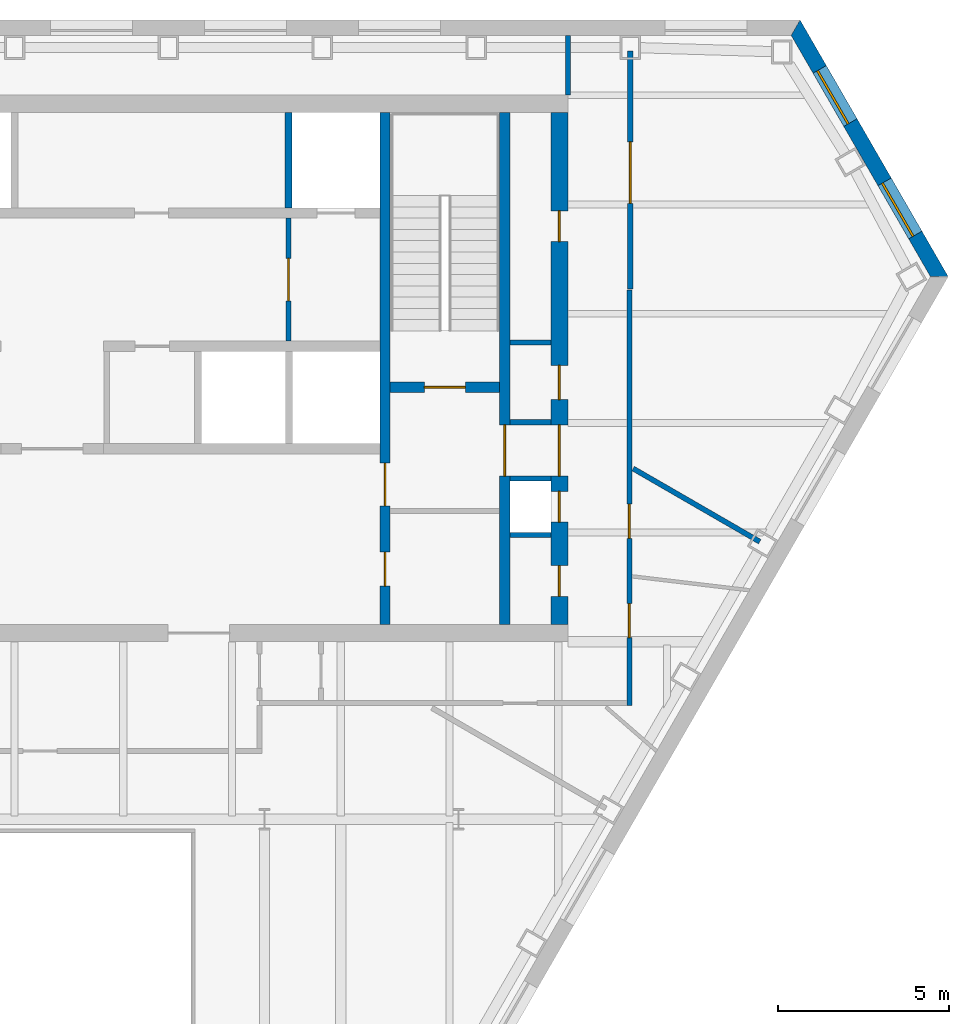
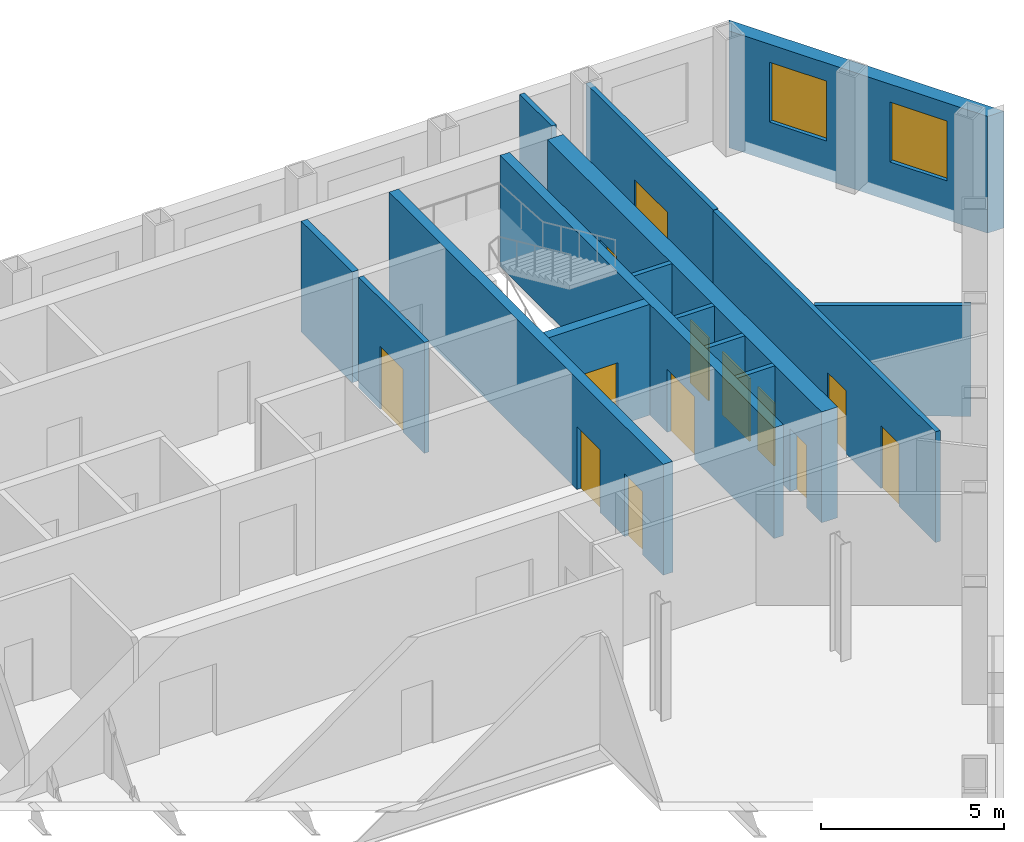
# One storey, part 7 of 10: 15 walls, 13 doors, 2 windows, 15 openings.
"""IFC4 building model written with IfcOpenShell, lengths in metres."""

from ifc_helpers import new_model, si_unit, direction, frame, frame_2d, origin, place, context, subcontext, project, spatial, polyline, rectangle, outline, extrude, material, layer, layer_set, type_object, element, fill, save


model = new_model("IFC4")

# Units and contexts
model_context = context("Model", 3, precision=1e-05, world=origin(), true_north=direction((0.0, 1.0)))
body_context = subcontext(model_context, "Body", "Model", "MODEL_VIEW")
ifc_project = project(units=[si_unit("LENGTHUNIT", "METRE"), si_unit("AREAUNIT", "SQUARE_METRE"), si_unit("VOLUMEUNIT", "CUBIC_METRE"), si_unit("PLANEANGLEUNIT", "RADIAN"), si_unit("MASSUNIT", "GRAM", prefix="KILO")], contexts=[model_context])

# Site, building, storey
site_placement = place(None, origin())
site = spatial("IfcSite", under=ifc_project, at=site_placement, CompositionType="ELEMENT")
building_placement = place(site_placement, origin())
building = spatial("IfcBuilding", under=site, at=building_placement, Name="Njiva Tower", CompositionType="ELEMENT")
storey_placement = place(building_placement, frame((0.0, 0.0, 159.3)))
storey = spatial("IfcBuildingStorey", under=building, at=storey_placement, Name="L34", CompositionType="ELEMENT", Elevation=159.3)

# Wall
ifc_material_1 = material(Name="Blockwork", Category="masonry")
ifc_layer_1 = layer(ifc_material_1, 0.15)
ifc_layer_set_1 = layer_set([ifc_layer_1], Name="Blockwork")
wall_type_1 = type_object("IfcWallType", Name="WT1 Compartment partition 150", PredefinedType="PARTITIONING", material=ifc_layer_set_1)
wall_1_placement = place(storey_placement, frame((14.5, 10.7557, 0.0), z_axis=(0.0, 0.0, 1.0), x_axis=(1.0, 0.0, 0.0)))
element("IfcWall", 1, at=wall_1_placement, inside=storey, type_object=wall_type_1, Name="Partition strip E10", PredefinedType="PARTITIONING", context=body_context, shape_type="SweptSolid", body=[
    extrude(rectangle(XDim=1.2, YDim=0.15, at=frame_2d((0.6, 0.0))), origin(), (0.0, 0.0, 1.0), 3.7),
])

# Wall, openings, doors
ifc_material_2 = material(Name="Concrete C40/50", Category="concrete")
ifc_layer_2 = layer(ifc_material_2, 0.3)
ifc_layer_set_2 = layer_set([ifc_layer_2], Name="Concrete C40/50")
wall_type_2 = type_object("IfcWallType", Name="WT10 Stair enclosure wall 300", PredefinedType="SHEAR", material=ifc_layer_set_2)
wall_2_placement = place(storey_placement, frame((10.85, 2.5, 0.0), z_axis=(0.0, 0.0, 1.0), x_axis=(0.0, 1.0, 0.0)))
wall_2 = element("IfcWall", 2, at=wall_2_placement, inside=storey, type_object=wall_type_2, Name="Stair wall east inner", PredefinedType="SHEAR", context=body_context, shape_type="SweptSolid", body=[
    extrude(rectangle(XDim=15.0, YDim=0.3, at=frame_2d((7.5, 0.0))), origin(), (0.0, 0.0, 1.0), 3.7),
])
opening_1_placement = place(wall_2_placement, frame((3.475, 0.0, 0.0)))
opening_1 = element("IfcOpeningElement", 3, at=opening_1_placement, cuts=wall_2, Name="Opening S11-D918", PredefinedType="OPENING", context=body_context, shape_type="SweptSolid", body=[
    extrude(rectangle(XDim=1.25, YDim=2.1, at=frame_2d((0.625, 1.05))), frame((0.0, 0.16, 0.0), z_axis=(0.0, -1.0, 0.0), x_axis=(1.0, 0.0, 0.0)), (0.0, 0.0, 1.0), 0.32),
])
opening_2_placement = place(wall_2_placement, frame((1.125, 0.0, 0.0)))
opening_2 = element("IfcOpeningElement", 4, at=opening_2_placement, cuts=wall_2, Name="Opening S11-D919", PredefinedType="OPENING", context=body_context, shape_type="SweptSolid", body=[
    extrude(rectangle(XDim=1.0, YDim=2.1, at=frame_2d((0.5, 1.05))), frame((0.0, 0.16, 0.0), z_axis=(0.0, -1.0, 0.0), x_axis=(1.0, 0.0, 0.0)), (0.0, 0.0, 1.0), 0.32),
])
ifc_material_3 = material(Name="Steel door, painted", Category="steel")
door_type_1 = type_object("IfcDoorType", Name="D5 Steel door 1000x2100", OperationType="SINGLE_SWING_LEFT", PredefinedType="DOOR", material=ifc_material_3)
door_1_placement = place(opening_2_placement, origin())
door_1 = element("IfcDoor", 5, at=door_1_placement, inside=storey, type_object=door_type_1, Name="Quiet room door", OperationType="SINGLE_SWING_LEFT", OverallHeight=2.1, OverallWidth=1.0, PredefinedType="DOOR", context=body_context, shape_type="SweptSolid", body=[
    extrude(rectangle(XDim=1.0, YDim=2.1, at=frame_2d((0.5, 1.05))), frame((0.0, 0.025, 0.0), z_axis=(0.0, -1.0, 0.0), x_axis=(1.0, 0.0, 0.0)), (0.0, 0.0, 1.0), 0.05),
])
fill(opening_2, door_1)
ifc_material_4 = material(Name="Glazed steel fire door", Category="steel")
door_type_2 = type_object("IfcDoorType", Name="D8 Vestibule corridor door 1250x2100 glazed", OperationType="SINGLE_SWING_LEFT", PredefinedType="DOOR", material=ifc_material_4)
door_2_placement = place(opening_1_placement, origin())
door_2 = element("IfcDoor", 6, at=door_2_placement, inside=storey, type_object=door_type_2, Name="Stair vestibule corridor door", OperationType="SINGLE_SWING_RIGHT", OverallHeight=2.1, OverallWidth=1.25, PredefinedType="DOOR", context=body_context, shape_type="SweptSolid", body=[
    extrude(rectangle(XDim=1.25, YDim=2.1, at=frame_2d((0.625, 1.05))), frame((0.0, 0.025, 0.0), z_axis=(0.0, -1.0, 0.0), x_axis=(1.0, 0.0, 0.0)), (0.0, 0.0, 1.0), 0.05),
])
fill(opening_1, door_2)

# Wall, opening, door
wall_3_placement = place(storey_placement, frame((14.35, 2.5, 0.0), z_axis=(0.0, 0.0, 1.0), x_axis=(0.0, 1.0, 0.0)))
wall_3 = element("IfcWall", 7, at=wall_3_placement, inside=storey, type_object=wall_type_2, Name="Stair wall east outer", PredefinedType="SHEAR", context=body_context, shape_type="SweptSolid", body=[
    extrude(rectangle(XDim=15.0, YDim=0.3, at=frame_2d((7.5, 0.0))), origin(), (0.0, 0.0, 1.0), 3.7),
])
opening_3_placement = place(wall_3_placement, frame((4.35, 0.0, 0.0)))
opening_3 = element("IfcOpeningElement", 8, at=opening_3_placement, cuts=wall_3, Name="Opening S11-D926", PredefinedType="OPENING", context=body_context, shape_type="SweptSolid", body=[
    extrude(rectangle(XDim=1.5, YDim=2.1, at=frame_2d((0.75, 1.05))), frame((0.0, 0.16, 0.0), z_axis=(0.0, -1.0, 0.0), x_axis=(1.0, 0.0, 0.0)), (0.0, 0.0, 1.0), 0.32),
])
door_type_3 = type_object("IfcDoorType", Name="D10 Exit door double 1500x2100 glazed", OperationType="DOUBLE_DOOR_SINGLE_SWING", PredefinedType="DOOR", material=ifc_material_4)
door_3_placement = place(opening_3_placement, origin())
door_3 = element("IfcDoor", 9, at=door_3_placement, inside=storey, type_object=door_type_3, Name="Stair B passage door", OperationType="DOUBLE_DOOR_SINGLE_SWING", OverallHeight=2.1, OverallWidth=1.5, PredefinedType="DOOR", context=body_context, shape_type="SweptSolid", body=[
    extrude(rectangle(XDim=1.5, YDim=2.1, at=frame_2d((0.75, 1.05))), frame((0.0, 0.025, 0.0), z_axis=(0.0, -1.0, 0.0), x_axis=(1.0, 0.0, 0.0)), (0.0, 0.0, 1.0), 0.05),
])
fill(opening_3, door_3)

wall_4_placement = place(storey_placement, frame((11.0, 9.45, 0.0), z_axis=(0.0, 0.0, 1.0), x_axis=(1.0, 0.0, 0.0)))
wall_4 = element("IfcWall", 10, at=wall_4_placement, inside=storey, type_object=wall_type_2, Name="Stair B south wall", PredefinedType="SHEAR", context=body_context, shape_type="SweptSolid", body=[
    extrude(rectangle(XDim=3.2, YDim=0.3, at=frame_2d((1.6, 0.0))), origin(), (0.0, 0.0, 1.0), 3.7),
])
opening_4_placement = place(wall_4_placement, frame((1.0, 0.0, 0.0)))
opening_4 = element("IfcOpeningElement", 11, at=opening_4_placement, cuts=wall_4, Name="Opening S11-D917", PredefinedType="OPENING", context=body_context, shape_type="SweptSolid", body=[
    extrude(rectangle(XDim=1.2, YDim=2.1, at=frame_2d((0.6, 1.05))), frame((0.0, 0.16, 0.0), z_axis=(0.0, -1.0, 0.0), x_axis=(1.0, 0.0, 0.0)), (0.0, 0.0, 1.0), 0.32),
])
door_type_4 = type_object("IfcDoorType", Name="D7 Stair vestibule door 1200x2100 glazed", OperationType="SINGLE_SWING_LEFT", PredefinedType="DOOR", material=ifc_material_4)
door_4_placement = place(opening_4_placement, origin())
door_4 = element("IfcDoor", 12, at=door_4_placement, inside=storey, type_object=door_type_4, Name="Stair B door", OperationType="SINGLE_SWING_LEFT", OverallHeight=2.1, OverallWidth=1.2, PredefinedType="DOOR", context=body_context, shape_type="SweptSolid", body=[
    extrude(rectangle(XDim=1.2, YDim=2.1, at=frame_2d((0.6, 1.05))), frame((0.0, 0.025, 0.0), z_axis=(0.0, -1.0, 0.0), x_axis=(1.0, 0.0, 0.0)), (0.0, 0.0, 1.0), 0.05),
])
fill(opening_4, door_4)

# Wall, openings, doors
ifc_material_5 = material(Name="Concrete C60/75", Category="concrete")
ifc_layer_3 = layer(ifc_material_5, 0.5)
ifc_layer_set_3 = layer_set([ifc_layer_3], Name="Concrete C60/75")
wall_type_3 = type_object("IfcWallType", Name="WT13 Core wall 500", PredefinedType="SHEAR", material=ifc_layer_set_3)
wall_5_placement = place(storey_placement, frame((15.95, 2.5, 0.0), z_axis=(0.0, 0.0, 1.0), x_axis=(0.0, 1.0, 0.0)))
wall_5 = element("IfcWall", 13, at=wall_5_placement, inside=storey, type_object=wall_type_3, Name="Core wall east", PredefinedType="SHEAR", context=body_context, shape_type="SweptSolid", body=[
    extrude(rectangle(XDim=15.0, YDim=0.5, at=frame_2d((7.5, 0.0))), origin(), (0.0, 0.0, 1.0), 3.7),
])
opening_5_placement = place(wall_5_placement, frame((4.35, 0.0, 0.0)))
opening_5 = element("IfcOpeningElement", 14, at=opening_5_placement, cuts=wall_5, Name="Opening S11-D927", PredefinedType="OPENING", context=body_context, shape_type="SweptSolid", body=[
    extrude(rectangle(XDim=1.5, YDim=2.1, at=frame_2d((0.75, 1.05))), frame((0.0, 0.26, 0.0), z_axis=(0.0, -1.0, 0.0), x_axis=(1.0, 0.0, 0.0)), (0.0, 0.0, 1.0), 0.52),
])
opening_6_placement = place(wall_5_placement, frame((0.825, 0.0, 0.0)))
opening_6 = element("IfcOpeningElement", 15, at=opening_6_placement, cuts=wall_5, Name="Opening S11-D928", PredefinedType="OPENING", context=body_context, shape_type="SweptSolid", body=[
    extrude(rectangle(XDim=0.9, YDim=2.1, at=frame_2d((0.45, 1.05))), frame((0.0, 0.26, 0.0), z_axis=(0.0, -1.0, 0.0), x_axis=(1.0, 0.0, 0.0)), (0.0, 0.0, 1.0), 0.52),
])
opening_7_placement = place(wall_5_placement, frame((3.0, 0.0, 0.0)))
opening_7 = element("IfcOpeningElement", 16, at=opening_7_placement, cuts=wall_5, Name="Opening S11-D929", PredefinedType="OPENING", context=body_context, shape_type="SweptSolid", body=[
    extrude(rectangle(XDim=0.9, YDim=2.1, at=frame_2d((0.45, 1.05))), frame((0.0, 0.26, 0.0), z_axis=(0.0, -1.0, 0.0), x_axis=(1.0, 0.0, 0.0)), (0.0, 0.0, 1.0), 0.52),
])
opening_8_placement = place(wall_5_placement, frame((6.5904, 0.0, 0.0)))
opening_8 = element("IfcOpeningElement", 17, at=opening_8_placement, cuts=wall_5, Name="Opening S11-D930", PredefinedType="OPENING", context=body_context, shape_type="SweptSolid", body=[
    extrude(rectangle(XDim=1.0, YDim=2.1, at=frame_2d((0.5, 1.05))), frame((0.0, 0.26, 0.0), z_axis=(0.0, -1.0, 0.0), x_axis=(1.0, 0.0, 0.0)), (0.0, 0.0, 1.0), 0.52),
])
opening_9_placement = place(wall_5_placement, frame((11.2154, 0.0, 0.0)))
opening_9 = element("IfcOpeningElement", 18, at=opening_9_placement, cuts=wall_5, Name="Opening S11-D931", PredefinedType="OPENING", context=body_context, shape_type="SweptSolid", body=[
    extrude(rectangle(XDim=0.9, YDim=2.1, at=frame_2d((0.45, 1.05))), frame((0.0, 0.26, 0.0), z_axis=(0.0, -1.0, 0.0), x_axis=(1.0, 0.0, 0.0)), (0.0, 0.0, 1.0), 0.52),
])
door_5_placement = place(opening_5_placement, origin())
door_5 = element("IfcDoor", 19, at=door_5_placement, inside=storey, type_object=door_type_3, Name="Stair B corridor door", OperationType="DOUBLE_DOOR_SINGLE_SWING", OverallHeight=2.1, OverallWidth=1.5, PredefinedType="DOOR", context=body_context, shape_type="SweptSolid", body=[
    extrude(rectangle(XDim=1.5, YDim=2.1, at=frame_2d((0.75, 1.05))), frame((0.0, 0.025, 0.0), z_axis=(0.0, -1.0, 0.0), x_axis=(1.0, 0.0, 0.0)), (0.0, 0.0, 1.0), 0.05),
])
fill(opening_5, door_5)
door_type_5 = type_object("IfcDoorType", Name="D4 Riser door 900x2100", OperationType="SINGLE_SWING_LEFT", PredefinedType="DOOR", material=ifc_material_3)
door_6_placement = place(opening_7_placement, origin())
door_6 = element("IfcDoor", 20, at=door_6_placement, inside=storey, type_object=door_type_5, Name="Cable riser door", OperationType="SINGLE_SWING_LEFT", OverallHeight=2.1, OverallWidth=0.9, PredefinedType="DOOR", context=body_context, shape_type="SweptSolid", body=[
    extrude(rectangle(XDim=0.9, YDim=2.1, at=frame_2d((0.45, 1.05))), frame((0.0, 0.025, 0.0), z_axis=(0.0, -1.0, 0.0), x_axis=(1.0, 0.0, 0.0)), (0.0, 0.0, 1.0), 0.05),
])
fill(opening_7, door_6)
door_7_placement = place(opening_8_placement, origin())
door_7 = element("IfcDoor", 21, at=door_7_placement, inside=storey, type_object=door_type_1, Name="Telecoms room door", OperationType="SINGLE_SWING_LEFT", OverallHeight=2.1, OverallWidth=1.0, PredefinedType="DOOR", context=body_context, shape_type="SweptSolid", body=[
    extrude(rectangle(XDim=1.0, YDim=2.1, at=frame_2d((0.5, 1.05))), frame((0.0, 0.025, 0.0), z_axis=(0.0, -1.0, 0.0), x_axis=(1.0, 0.0, 0.0)), (0.0, 0.0, 1.0), 0.05),
])
fill(opening_8, door_7)
ifc_material_6 = material(Name="Steel fire door, painted", Category="steel")
door_type_6 = type_object("IfcDoorType", Name="D6 Fire-rated door 900x2100", OperationType="SINGLE_SWING_LEFT", PredefinedType="DOOR", material=ifc_material_6)
door_8_placement = place(opening_6_placement, origin())
door_8 = element("IfcDoor", 22, at=door_8_placement, inside=storey, type_object=door_type_6, Name="Cable store door", OperationType="SINGLE_SWING_LEFT", OverallHeight=2.1, OverallWidth=0.9, PredefinedType="DOOR", context=body_context, shape_type="SweptSolid", body=[
    extrude(rectangle(XDim=0.9, YDim=2.1, at=frame_2d((0.45, 1.05))), frame((0.0, 0.025, 0.0), z_axis=(0.0, -1.0, 0.0), x_axis=(1.0, 0.0, 0.0)), (0.0, 0.0, 1.0), 0.05),
])
fill(opening_6, door_8)
door_9_placement = place(opening_9_placement, origin())
door_9 = element("IfcDoor", 23, at=door_9_placement, inside=storey, type_object=door_type_6, Name="Cable store door", OperationType="SINGLE_SWING_RIGHT", OverallHeight=2.1, OverallWidth=0.9, PredefinedType="DOOR", context=body_context, shape_type="SweptSolid", body=[
    extrude(rectangle(XDim=0.9, YDim=2.1, at=frame_2d((0.45, 1.05))), frame((0.0, 0.025, 0.0), z_axis=(0.0, -1.0, 0.0), x_axis=(1.0, 0.0, 0.0)), (0.0, 0.0, 1.0), 0.05),
])
fill(opening_9, door_9)

# Wall, opening, door
ifc_layer_4 = layer(ifc_material_1, 0.15)
ifc_layer_set_4 = layer_set([ifc_layer_4], Name="Blockwork")
wall_type_4 = type_object("IfcWallType", Name="WT2 Lobby partition 150", PredefinedType="PARTITIONING", material=ifc_layer_set_4)
wall_6_placement = place(storey_placement, frame((8.025, 10.8, 0.0), z_axis=(0.0, 0.0, 1.0), x_axis=(0.0, 1.0, 0.0)))
wall_6 = element("IfcWall", 24, at=wall_6_placement, inside=storey, type_object=wall_type_4, Name="Firefighting lobby wall B", PredefinedType="PARTITIONING", context=body_context, shape_type="SweptSolid", body=[
    extrude(rectangle(XDim=3.6, YDim=0.15, at=frame_2d((1.8, 0.0))), origin(), (0.0, 0.0, 1.0), 3.7),
])
opening_10_placement = place(wall_6_placement, frame((1.175, 0.0, 0.0)))
opening_10 = element("IfcOpeningElement", 25, at=opening_10_placement, cuts=wall_6, Name="Opening S11-D916", PredefinedType="OPENING", context=body_context, shape_type="SweptSolid", body=[
    extrude(rectangle(XDim=1.25, YDim=2.1, at=frame_2d((0.625, 1.05))), frame((0.0, 0.085, 0.0), z_axis=(0.0, -1.0, 0.0), x_axis=(1.0, 0.0, 0.0)), (0.0, 0.0, 1.0), 0.17),
])
door_10_placement = place(opening_10_placement, origin())
door_10 = element("IfcDoor", 26, at=door_10_placement, inside=storey, type_object=door_type_2, Name="Stair vestibule corridor door", OperationType="SINGLE_SWING_LEFT", OverallHeight=2.1, OverallWidth=1.25, PredefinedType="DOOR", context=body_context, shape_type="SweptSolid", body=[
    extrude(rectangle(XDim=1.25, YDim=2.1, at=frame_2d((0.625, 1.05))), frame((0.0, 0.025, 0.0), z_axis=(0.0, -1.0, 0.0), x_axis=(1.0, 0.0, 0.0)), (0.0, 0.0, 1.0), 0.05),
])
fill(opening_10, door_10)

# Wall
ifc_material_7 = material(Name="Gypsum board on steel studs", Category="gypsum")
ifc_layer_5 = layer(ifc_material_7, 0.15)
ifc_layer_set_5 = layer_set([ifc_layer_5], Name="Gypsum board on steel studs")
wall_type_5 = type_object("IfcWallType", Name="WT21 Compartment wall 150", PredefinedType="PARTITIONING", material=ifc_layer_set_5)
wall_7_placement = place(storey_placement, frame((16.2, 18.0, 0.0), z_axis=(0.0, 0.0, 1.0), x_axis=(0.0, 1.0, 0.0)))
element("IfcWall", 27, at=wall_7_placement, inside=storey, type_object=wall_type_5, Name="Partition S11-P023", PredefinedType="PARTITIONING", context=body_context, shape_type="SweptSolid", body=[
    extrude(rectangle(XDim=1.75, YDim=0.15, at=frame_2d((0.875, 0.0))), origin(), (0.0, 0.0, 1.0), 3.7),
])

# Wall, openings, doors
wall_8_placement = place(storey_placement, frame((18.0, 0.125, 0.0), z_axis=(0.0, 0.0, 1.0), x_axis=(0.0, 1.0, 0.0)))
wall_8 = element("IfcWall", 28, at=wall_8_placement, inside=storey, type_object=wall_type_5, Name="Partition S11-P025", PredefinedType="PARTITIONING", context=body_context, shape_type="SweptSolid", body=[
    extrude(rectangle(XDim=12.179, YDim=0.15, at=frame_2d((6.0895, 0.0))), origin(), (0.0, 0.0, 1.0), 3.7),
])
opening_11_placement = place(wall_8_placement, frame((1.992, 0.0, 0.0)))
opening_11 = element("IfcOpeningElement", 29, at=opening_11_placement, cuts=wall_8, Name="Opening S11-D012", PredefinedType="OPENING", context=body_context, shape_type="SweptSolid", body=[
    extrude(rectangle(XDim=1.0, YDim=2.1, at=frame_2d((0.5, 1.05))), frame((0.0, 0.085, 0.0), z_axis=(0.0, -1.0, 0.0), x_axis=(1.0, 0.0, 0.0)), (0.0, 0.0, 1.0), 0.17),
])
opening_12_placement = place(wall_8_placement, frame((4.902, 0.0, 0.0)))
opening_12 = element("IfcOpeningElement", 30, at=opening_12_placement, cuts=wall_8, Name="Opening S11-D013", PredefinedType="OPENING", context=body_context, shape_type="SweptSolid", body=[
    extrude(rectangle(XDim=1.0, YDim=2.1, at=frame_2d((0.5, 1.05))), frame((0.0, 0.085, 0.0), z_axis=(0.0, -1.0, 0.0), x_axis=(1.0, 0.0, 0.0)), (0.0, 0.0, 1.0), 0.17),
])
ifc_material_8 = material(Name="Steel fire door set", Category="steel")
door_type_7 = type_object("IfcDoorType", Name="D37 Fire door 1000x2100", OperationType="SINGLE_SWING_LEFT", PredefinedType="DOOR", material=ifc_material_8)
door_11_placement = place(opening_11_placement, origin())
door_11 = element("IfcDoor", 31, at=door_11_placement, inside=storey, type_object=door_type_7, Name="Door S11-D012", OperationType="SINGLE_SWING_LEFT", OverallHeight=2.1, OverallWidth=1.0, PredefinedType="DOOR", context=body_context, shape_type="SweptSolid", body=[
    extrude(rectangle(XDim=1.0, YDim=2.1, at=frame_2d((0.5, 1.05))), frame((0.0, 0.025, 0.0), z_axis=(0.0, -1.0, 0.0), x_axis=(1.0, 0.0, 0.0)), (0.0, 0.0, 1.0), 0.05),
])
fill(opening_11, door_11)
door_12_placement = place(opening_12_placement, origin())
door_12 = element("IfcDoor", 32, at=door_12_placement, inside=storey, type_object=door_type_7, Name="Door S11-D013", OperationType="SINGLE_SWING_LEFT", OverallHeight=2.1, OverallWidth=1.0, PredefinedType="DOOR", context=body_context, shape_type="SweptSolid", body=[
    extrude(rectangle(XDim=1.0, YDim=2.1, at=frame_2d((0.5, 1.05))), frame((0.0, 0.025, 0.0), z_axis=(0.0, -1.0, 0.0), x_axis=(1.0, 0.0, 0.0)), (0.0, 0.0, 1.0), 0.05),
])
fill(opening_12, door_12)

# Wall, opening, door
wall_9_placement = place(storey_placement, frame((18.027, 12.321, 0.0), z_axis=(0.0, 0.0, 1.0), x_axis=(0.0, 1.0, 0.0)))
wall_9 = element("IfcWall", 33, at=wall_9_placement, inside=storey, type_object=wall_type_5, Name="Partition S11-P026", PredefinedType="PARTITIONING", context=body_context, shape_type="SweptSolid", body=[
    extrude(rectangle(XDim=6.979, YDim=0.15, at=frame_2d((3.4895, 0.0))), origin(), (0.0, 0.0, 1.0), 3.7),
])
opening_13_placement = place(wall_9_placement, frame((2.514, 0.0, 0.0)))
opening_13 = element("IfcOpeningElement", 34, at=opening_13_placement, cuts=wall_9, Name="Opening S11-D014", PredefinedType="OPENING", context=body_context, shape_type="SweptSolid", body=[
    extrude(rectangle(XDim=1.8, YDim=2.1, at=frame_2d((0.9, 1.05))), frame((0.0, 0.085, 0.0), z_axis=(0.0, -1.0, 0.0), x_axis=(1.0, 0.0, 0.0)), (0.0, 0.0, 1.0), 0.17),
])
door_type_8 = type_object("IfcDoorType", Name="D38 Fire door 1800x2100", OperationType="DOUBLE_DOOR_SINGLE_SWING", PredefinedType="DOOR", material=ifc_material_8)
door_13_placement = place(opening_13_placement, origin())
door_13 = element("IfcDoor", 35, at=door_13_placement, inside=storey, type_object=door_type_8, Name="Door S11-D014", OperationType="DOUBLE_DOOR_SINGLE_SWING", OverallHeight=2.1, OverallWidth=1.8, PredefinedType="DOOR", context=body_context, shape_type="SweptSolid", body=[
    extrude(rectangle(XDim=1.8, YDim=2.1, at=frame_2d((0.9, 1.05))), frame((0.0, 0.025, 0.0), z_axis=(0.0, -1.0, 0.0), x_axis=(1.0, 0.0, 0.0)), (0.0, 0.0, 1.0), 0.05),
])
fill(opening_13, door_13)

# Walls
wall_10_placement = place(storey_placement, frame((18.113, 7.068, 0.0), z_axis=(0.0, 0.0, 1.0), x_axis=(0.865932559475, -0.500160776593, 0.0)))
element("IfcWall", 36, at=wall_10_placement, inside=storey, type_object=wall_type_5, Name="Partition S11-P028", PredefinedType="PARTITIONING", context=body_context, shape_type="SweptSolid", body=[
    extrude(rectangle(XDim=4.2786, YDim=0.15, at=frame_2d((2.1393, 0.0))), origin(), (0.0, 0.0, 1.0), 3.7),
])
ifc_layer_6 = layer(ifc_material_1, 0.15)
ifc_layer_set_6 = layer_set([ifc_layer_6], Name="Blockwork")
wall_type_6 = type_object("IfcWallType", Name="WT3 Riser partition 150", PredefinedType="PARTITIONING", material=ifc_layer_set_6)
wall_11_placement = place(storey_placement, frame((14.5, 5.125, 0.0), z_axis=(0.0, 0.0, 1.0), x_axis=(1.0, 0.0, 0.0)))
element("IfcWall", 37, at=wall_11_placement, inside=storey, type_object=wall_type_6, Name="Partition strip E00", PredefinedType="PARTITIONING", context=body_context, shape_type="SweptSolid", body=[
    extrude(rectangle(XDim=1.2, YDim=0.15, at=frame_2d((0.6, 0.0))), origin(), (0.0, 0.0, 1.0), 3.7),
])
ifc_layer_7 = layer(ifc_material_1, 0.15)
ifc_layer_set_7 = layer_set([ifc_layer_7], Name="Blockwork")
wall_type_7 = type_object("IfcWallType", Name="WT4 Stair partition 150", PredefinedType="PARTITIONING", material=ifc_layer_set_7)
for number, where, z_axis, x_axis, name in (
    (38, (14.5, 6.775, 0.0), (0.0, 0.0, 1.0), (1.0, 0.0, 0.0), "Stair B exit passage wall south"),
    (39, (14.5, 8.425, 0.0), (0.0, 0.0, 1.0), (1.0, 0.0, 0.0), "Stair B exit passage wall north"),
):
    element("IfcWall", number, at=place(storey_placement, frame(where, z_axis=z_axis, x_axis=x_axis)), inside=storey, type_object=wall_type_7, Name=name, PredefinedType="PARTITIONING", context=body_context, shape_type="SweptSolid", body=[
        extrude(rectangle(XDim=1.2, YDim=0.15, at=frame_2d((0.6, 0.0))), origin(), (0.0, 0.0, 1.0), 3.7),
    ])
ifc_layer_8 = layer(ifc_material_2, 0.2)
ifc_layer_set_8 = layer_set([ifc_layer_8], Name="Concrete C40/50")
wall_type_8 = type_object("IfcWallType", Name="WT6 Lift shaft wall 200", PredefinedType="SHEAR", material=ifc_layer_set_8)
wall_12_placement = place(storey_placement, frame((8.025, 14.7, 0.0), z_axis=(0.0, 0.0, 1.0), x_axis=(0.0, 1.0, 0.0)))
element("IfcWall", 40, at=wall_12_placement, inside=storey, type_object=wall_type_8, Name="Shaft wall CN7", PredefinedType="SHEAR", context=body_context, shape_type="SweptSolid", body=[
    extrude(rectangle(XDim=2.8, YDim=0.2, at=frame_2d((1.4, 0.0))), origin(), (0.0, 0.0, 1.0), 3.7),
])

# Wall, openings, windows
ifc_material_9 = material(Name="Brick masonry, buff", Category="masonry")
ifc_layer_9 = layer(ifc_material_9, 0.45)
ifc_layer_set_9 = layer_set([ifc_layer_9], Name="Brick masonry, buff")
wall_type_9 = type_object("IfcWallType", Name="WT94 Brick pier and spandrel wall 450, buff", PredefinedType="SOLIDWALL", material=ifc_layer_set_9)
wall_13_placement = place(storey_placement, frame((27.0789, 12.6851, -0.4), z_axis=(0.0, 0.0, 1.0), x_axis=(-0.500000365375, 0.866025192835, 0.0)))
wall_13 = element("IfcWall", 41, at=wall_13_placement, inside=storey, type_object=wall_type_9, Name="Facade wall NE", PredefinedType="SOLIDWALL", context=body_context, shape_type="SweptSolid", body=[
    extrude(outline(polyline([(-0.1299, -0.225), (8.5501, -0.225), (8.2903, 0.225), (0.1299, 0.225), (-0.1299, -0.225)])), origin(), (0.0, 0.0, 1.0), 3.9),
])
opening_14_placement = place(wall_13_placement, frame((1.4094, 0.0, 1.3)))
opening_14 = element("IfcOpeningElement", 42, at=opening_14_placement, cuts=wall_13, Name="Opening S11-W32", PredefinedType="OPENING", context=body_context, shape_type="SweptSolid", body=[
    extrude(rectangle(XDim=1.8, YDim=2.0, at=frame_2d((0.9, 1.0))), frame((0.0, 0.235, 0.0), z_axis=(0.0, -1.0, 0.0), x_axis=(1.0, 0.0, 0.0)), (0.0, 0.0, 1.0), 0.47),
])
opening_15_placement = place(wall_13_placement, frame((5.2107, 0.0, 1.3)))
opening_15 = element("IfcOpeningElement", 43, at=opening_15_placement, cuts=wall_13, Name="Opening S11-W33", PredefinedType="OPENING", context=body_context, shape_type="SweptSolid", body=[
    extrude(rectangle(XDim=1.8, YDim=2.0, at=frame_2d((0.9, 1.0))), frame((0.0, 0.235, 0.0), z_axis=(0.0, -1.0, 0.0), x_axis=(1.0, 0.0, 0.0)), (0.0, 0.0, 1.0), 0.47),
])
ifc_material_10 = material(Name="Clear glazing in aluminium frame", Category="aluminium")
window_type = type_object("IfcWindowType", Name="W94 Deep-set window 1800x2000", PartitioningType="SINGLE_PANEL", PredefinedType="WINDOW", material=ifc_material_10)
window_1_placement = place(opening_14_placement, origin())
window_1 = element("IfcWindow", 44, at=window_1_placement, inside=storey, type_object=window_type, Name="Window", OverallHeight=2.0, OverallWidth=1.8, PartitioningType="SINGLE_PANEL", PredefinedType="WINDOW", context=body_context, shape_type="SweptSolid", body=[
    extrude(rectangle(XDim=1.8, YDim=2.0, at=frame_2d((0.9, 1.0))), frame((0.0, 0.105, 0.0), z_axis=(0.0, -1.0, 0.0), x_axis=(1.0, 0.0, 0.0)), (0.0, 0.0, 1.0), 0.06),
])
fill(opening_14, window_1)
window_2_placement = place(opening_15_placement, origin())
window_2 = element("IfcWindow", 45, at=window_2_placement, inside=storey, type_object=window_type, Name="Window", OverallHeight=2.0, OverallWidth=1.8, PartitioningType="SINGLE_PANEL", PredefinedType="WINDOW", context=body_context, shape_type="SweptSolid", body=[
    extrude(rectangle(XDim=1.8, YDim=2.0, at=frame_2d((0.9, 1.0))), frame((0.0, 0.105, 0.0), z_axis=(0.0, -1.0, 0.0), x_axis=(1.0, 0.0, 0.0)), (0.0, 0.0, 1.0), 0.06),
])
fill(opening_15, window_2)

save(model, "model.ifc")
